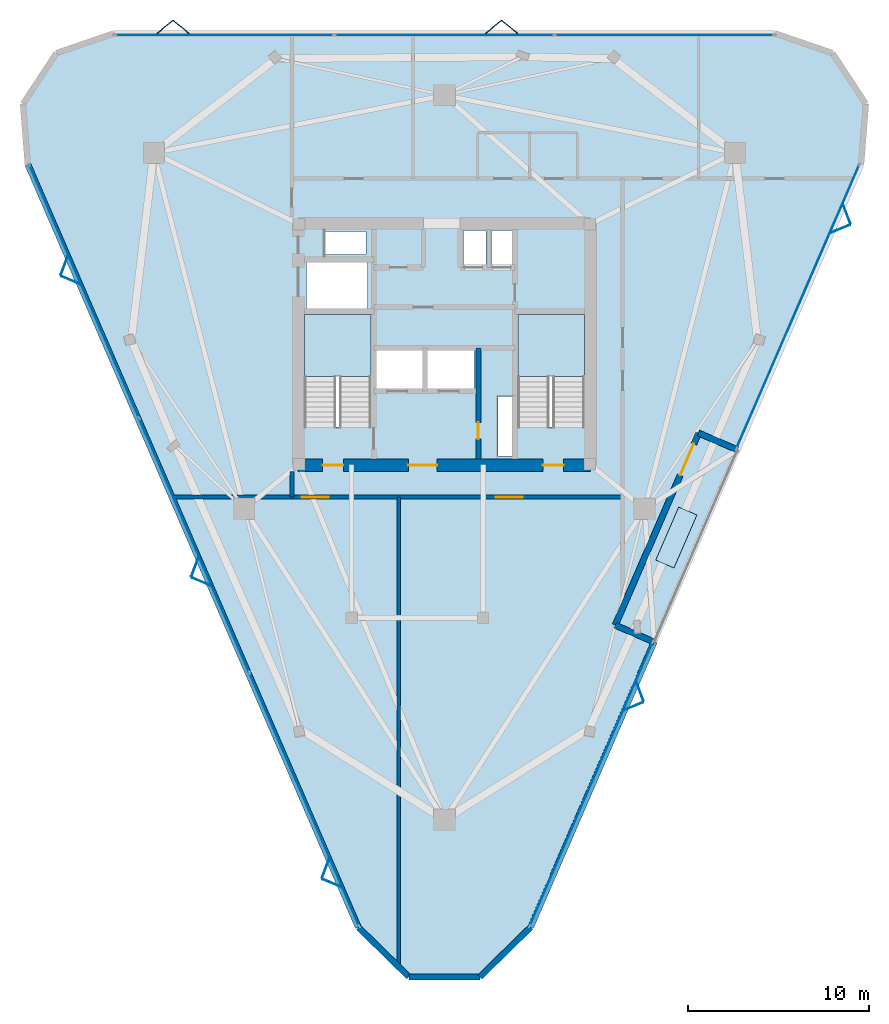
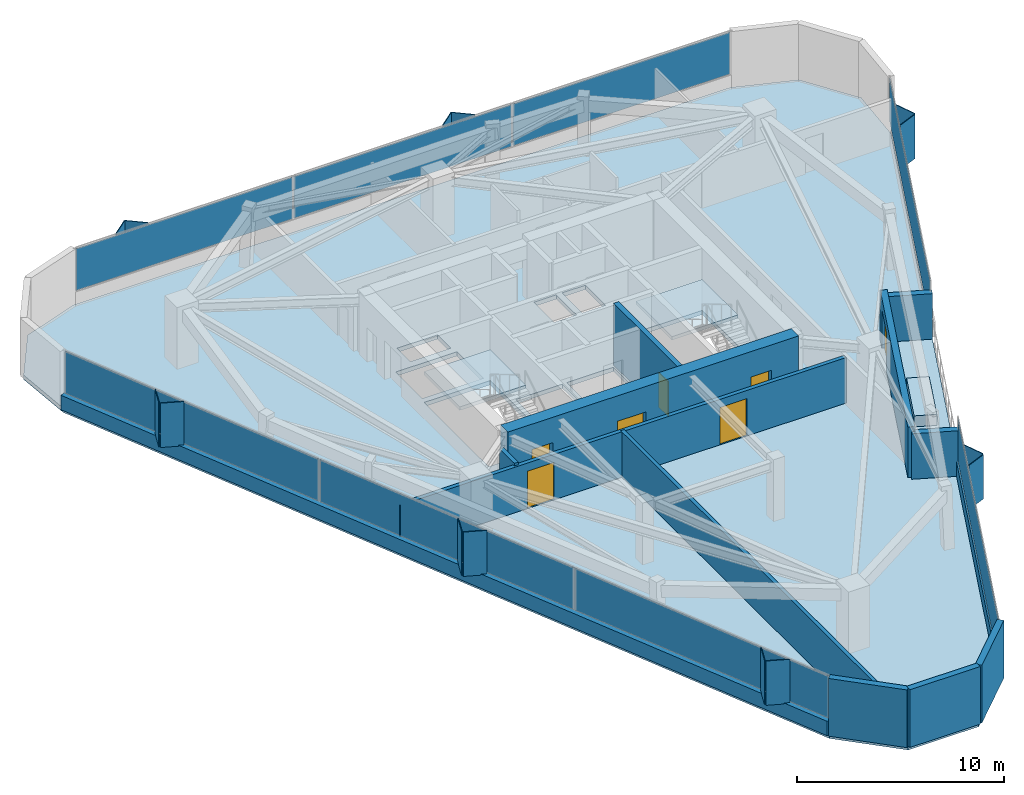
# One storey, part 7 of 10: 23 plates, 13 walls, 7 doors, 4 slabs, 7 openings, 6 elements without a shape of their own.
"""IFC4 building model written with IfcOpenShell, lengths in metres."""

from ifc_helpers import new_model, si_unit, direction, frame, frame_2d, origin, origin_2d, place, context, subcontext, project, spatial, polyline, rectangle, outline, extrude, material, layer, layer_set, type_object, element, fill, aggregate, save


model = new_model("IFC4")

# Units and contexts
model_context = context("Model", 3, precision=1e-05, world=origin(), true_north=direction((0.0, 1.0)))
body_context = subcontext(model_context, "Body", "Model", "MODEL_VIEW")
ifc_project = project(units=[si_unit("LENGTHUNIT", "METRE"), si_unit("AREAUNIT", "SQUARE_METRE"), si_unit("VOLUMEUNIT", "CUBIC_METRE"), si_unit("PLANEANGLEUNIT", "RADIAN"), si_unit("MASSUNIT", "GRAM", prefix="KILO")], contexts=[model_context])

# Site, building, storey
site_placement = place(None, origin())
site = spatial("IfcSite", under=ifc_project, at=site_placement, CompositionType="ELEMENT")
building_placement = place(site_placement, origin())
building = spatial("IfcBuilding", under=site, at=building_placement, Name="Talyreon Biosciences Tower", CompositionType="ELEMENT")
storey_placement = place(building_placement, frame((0.0, 0.0, 253.5)))
storey = spatial("IfcBuildingStorey", under=building, at=storey_placement, Name="L67", CompositionType="ELEMENT", Elevation=253.5)

# Curtain wall, plates
ifc_material_1 = material(Name="Thermally broken aluminium and low-E glazing", Category="aluminium")
ifc_layer_1 = layer(ifc_material_1, 0.205078125)
ifc_layer_set_1 = layer_set([ifc_layer_1], Name="Thermally broken aluminium and low-E glazing")
curtain_wall_type = type_object("IfcCurtainWallType", Name="CurtainWall_SkyGardenLoggia", PredefinedType="NOTDEFINED", material=ifc_layer_set_1)
curtain_wall_1_placement = place(storey_placement, origin())
curtain_wall_1 = element("IfcCurtainWall", 1, at=curtain_wall_1_placement, inside=storey, type_object=curtain_wall_type, Name="L67 Unitised Curtain Wall FCW-L67-03", PredefinedType="NOTDEFINED")
ifc_material_2 = material(Name="Acoustic laminated low-E insulated glazing", Category="glass")
ifc_layer_2 = layer(ifc_material_2, 0.0380859375)
ifc_layer_set_2 = layer_set([ifc_layer_2], Name="Acoustic laminated low-E insulated glazing")
plate_type_1 = type_object("IfcPlateType", Name="CWGlazingPanel_38", PredefinedType="CURTAIN_PANEL", material=ifc_layer_set_2)
plate_1_placement = place(storey_placement, frame((53.816162109375, 85.1376953125, 0.875), z_axis=(0.0, 0.0, 1.0), x_axis=(1.0, 0.0, 0.0)))
plate_1 = element("IfcPlate", 2, at=plate_1_placement, type_object=plate_type_1, Name="CW7 panel 1.1", PredefinedType="CURTAIN_PANEL", context=body_context, shape_type="SweptSolid", body=[
    extrude(rectangle(XDim=12.090087890625, YDim=0.0380859375, at=origin_2d()), origin(), (0.0, 0.0, 1.0), 2.4599609375),
])
plate_2_placement = place(storey_placement, frame((66.0, 85.1376953125, 0.875), z_axis=(0.0, 0.0, 1.0), x_axis=(1.0, 0.0, 0.0)))
plate_2 = element("IfcPlate", 3, at=plate_2_placement, type_object=plate_type_1, Name="CW7 panel 2.1", PredefinedType="CURTAIN_PANEL", context=body_context, shape_type="SweptSolid", body=[
    extrude(rectangle(XDim=12.12744140625, YDim=0.0380859375, at=origin_2d()), origin(), (0.0, 0.0, 1.0), 2.4599609375),
])
plate_3_placement = place(storey_placement, frame((78.183837890625, 85.1376953125, 0.875), z_axis=(0.0, 0.0, 1.0), x_axis=(1.0, 0.0, 0.0)))
plate_3 = element("IfcPlate", 4, at=plate_3_placement, type_object=plate_type_1, Name="CW7 panel 3.1", PredefinedType="CURTAIN_PANEL", context=body_context, shape_type="SweptSolid", body=[
    extrude(rectangle(XDim=12.090087890625, YDim=0.0380859375, at=origin_2d()), origin(), (0.0, 0.0, 1.0), 2.4599609375),
])
aggregate(curtain_wall_1, [plate_1, plate_2, plate_3])

# Curtain wall, plate
curtain_wall_2_placement = place(storey_placement, origin())
curtain_wall_2 = element("IfcCurtainWall", 5, at=curtain_wall_2_placement, inside=storey, type_object=curtain_wall_type, Name="L67 Unitised Curtain Wall FCW-L67-07", PredefinedType="NOTDEFINED")
plate_4_placement = place(storey_placement, frame((85.578857421875, 70.081298828125, 0.875), z_axis=(0.0, 0.0, 1.0), x_axis=(-0.397535898748, -0.917586622181, 0.0)))
plate_4 = element("IfcPlate", 6, at=plate_4_placement, type_object=plate_type_1, Name="CW7 panel 1.1", PredefinedType="CURTAIN_PANEL", context=body_context, shape_type="SweptSolid", body=[
    extrude(rectangle(XDim=17.071533203125, YDim=0.0380859375, at=origin_2d()), origin(), (0.0, 0.0, 1.0), 2.4599609375),
])
aggregate(curtain_wall_2, [plate_4])

curtain_wall_3_placement = place(storey_placement, origin())
curtain_wall_3 = element("IfcCurtainWall", 7, at=curtain_wall_3_placement, inside=storey, type_object=curtain_wall_type, Name="L67 Unitised Curtain Wall FCW-L67-11", PredefinedType="NOTDEFINED")
plate_5_placement = place(storey_placement, frame((74.12109375, 43.635009765625, 0.875), z_axis=(0.0, 0.0, 1.0), x_axis=(-0.397535898748, -0.917586622181, 0.0)))
plate_5 = element("IfcPlate", 8, at=plate_5_placement, type_object=plate_type_1, Name="CW7 panel 1.1", PredefinedType="CURTAIN_PANEL", context=body_context, shape_type="SweptSolid", body=[
    extrude(rectangle(XDim=17.071533203125, YDim=0.0380859375, at=origin_2d()), origin(), (0.0, 0.0, 1.0), 2.4599609375),
])
aggregate(curtain_wall_3, [plate_5])

# Curtain wall, plates
curtain_wall_4_placement = place(storey_placement, origin())
curtain_wall_4 = element("IfcCurtainWall", 9, at=curtain_wall_4_placement, inside=storey, type_object=curtain_wall_type, Name="L67 Unitised Curtain Wall FCW-L67-15", PredefinedType="NOTDEFINED")
plate_6_placement = place(storey_placement, frame((58.243896484375, 42.79248046875, 0.875), z_axis=(0.0, 0.0, 1.0), x_axis=(-0.397537465198, 0.91758594353, 0.0)))
plate_6 = element("IfcPlate", 10, at=plate_6_placement, type_object=plate_type_1, Name="CW7 panel 1.1", PredefinedType="CURTAIN_PANEL", context=body_context, shape_type="SweptSolid", body=[
    extrude(rectangle(XDim=15.2353515625, YDim=0.0380859375, at=origin_2d()), origin(), (0.0, 0.0, 1.0), 2.4599609375),
])
plate_7_placement = place(storey_placement, frame((52.150146484375, 56.858154296875, 0.875), z_axis=(0.0, 0.0, 1.0), x_axis=(-0.397537465198, 0.91758594353, 0.0)))
plate_7 = element("IfcPlate", 11, at=plate_7_placement, type_object=plate_type_1, Name="CW7 panel 2.1", PredefinedType="CURTAIN_PANEL", context=body_context, shape_type="SweptSolid", body=[
    extrude(rectangle(XDim=15.272705078125, YDim=0.0380859375, at=origin_2d()), origin(), (0.0, 0.0, 1.0), 2.4599609375),
])
plate_8_placement = place(storey_placement, frame((46.05615234375, 70.923828125, 0.875), z_axis=(0.0, 0.0, 1.0), x_axis=(-0.397537465198, 0.91758594353, 0.0)))
plate_8 = element("IfcPlate", 12, at=plate_8_placement, type_object=plate_type_1, Name="CW7 panel 3.1", PredefinedType="CURTAIN_PANEL", context=body_context, shape_type="SweptSolid", body=[
    extrude(rectangle(XDim=15.2353515625, YDim=0.0380859375, at=origin_2d()), origin(), (0.0, 0.0, 1.0), 2.4599609375),
])
aggregate(curtain_wall_4, [plate_6, plate_7, plate_8])

# Slab
ifc_material_3 = material(Name="Concrete C40/50", Category="concrete")
ifc_layer_3 = layer(ifc_material_3, 0.25)
ifc_layer_set_3 = layer_set([ifc_layer_3], Name="Concrete C40/50")
slab_type_1 = type_object("IfcSlabType", Name="DryLabFloorSlab_250", PredefinedType="FLOOR", material=ifc_layer_set_3)
slab_1_placement = place(storey_placement, frame((0.0, 0.0, -0.25)))
element("IfcSlab", 13, at=slab_1_placement, inside=storey, type_object=slab_type_1, Name="L67 Structural Floor Slab", PredefinedType="FLOOR", context=body_context, shape_type="SweptSolid", body=[
    extrude(outline(polyline([(42.9248046875, 77.95068359375), (42.6591796875, 81.3095703125), (44.508544921875, 84.126220703125), (47.6962890625, 85.2177734375), (84.3037109375, 85.2177734375), (87.491455078125, 84.126220703125), (89.3408203125, 81.3095703125), (89.0751953125, 77.95068359375), (82.22900390625, 62.148193359375), (80.07275390625, 63.08251953125), (75.46142578125, 52.4384765625), (77.61767578125, 51.50439453125), (70.771484375, 35.701904296875), (67.964111328125, 32.954345703125), (64.035888671875, 32.954345703125), (61.228515625, 35.701904296875), (42.9248046875, 77.95068359375)]), holes=[polyline([(69.820068359375, 65.10009765625), (69.820068359375, 61.800048828125), (68.9599609375, 61.800048828125), (68.9599609375, 65.10009765625), (69.820068359375, 65.10009765625)]), polyline([(61.929931640625, 69.64990234375), (61.929931640625, 63.407958984375), (58.25, 63.407958984375), (58.25, 69.64990234375), (61.929931640625, 69.64990234375)]), polyline([(73.75, 69.64990234375), (73.75, 63.407958984375), (70.070068359375, 63.407958984375), (70.070068359375, 69.64990234375), (73.75, 69.64990234375)]), polyline([(64.800048828125, 67.64990234375), (64.800048828125, 65.550048828125), (62.199951171875, 65.550048828125), (62.199951171875, 67.64990234375), (64.800048828125, 67.64990234375)]), polyline([(67.64990234375, 67.64990234375), (67.64990234375, 65.550048828125), (65.050048828125, 65.550048828125), (65.050048828125, 67.64990234375), (67.64990234375, 67.64990234375)]), polyline([(61.75, 72.550048828125), (61.75, 69.97998046875), (58.35009765625, 69.97998046875), (58.35009765625, 72.550048828125), (61.75, 72.550048828125)]), polyline([(68.300048828125, 74.300048828125), (68.300048828125, 72.35009765625), (67.050048828125, 72.35009765625), (67.050048828125, 74.300048828125), (68.300048828125, 74.300048828125)]), polyline([(69.919921875, 72.35009765625), (68.6201171875, 72.35009765625), (68.6201171875, 74.300048828125), (69.919921875, 74.300048828125), (69.919921875, 72.35009765625)]), polyline([(61.64990234375, 72.9599609375), (59.39990234375, 72.9599609375), (59.39990234375, 74.25), (61.64990234375, 74.25), (61.64990234375, 72.9599609375)])]), origin(), (0.0, 0.0, 1.0), 0.25),
])

# Plates
ifc_material_4 = material(Name="Ivory GFRC sunshade panel", Category="concrete")
ifc_layer_4 = layer(ifc_material_4, 0.044921875)
ifc_layer_set_4 = layer_set([ifc_layer_4], Name="Ivory GFRC sunshade panel")
plate_type_2 = type_object("IfcPlateType", Name="FoldedVSunshade_NorthFace_SUNSHADE", PredefinedType="USERDEFINED", material=ifc_layer_set_4)
for number, where, z_axis, x_axis, name in (
    (14, (50.51611328125, 85.577880859375, 0.7900390625), (0.0, 0.0, 1.0), (0.771624583388, 0.636078220278, 0.0), "L67 Folded V-Sunshade Panel 03.01L"),
    (15, (51.416259765625, 85.577880859375, 0.7900390625), (0.0, 0.0, 1.0), (0.771624583388, -0.636078220278, 0.0), "L67 Folded V-Sunshade Panel 03.01R"),
    (16, (68.71630859375, 85.577880859375, 0.7900390625), (0.0, 0.0, 1.0), (0.771624583388, 0.636078220278, 0.0), "L67 Folded V-Sunshade Panel 03.02L"),
    (17, (69.6162109375, 85.577880859375, 0.7900390625), (0.0, 0.0, 1.0), (0.771624583388, -0.636078220278, 0.0), "L67 Folded V-Sunshade Panel 03.02R"),
):
    element("IfcPlate", number, at=place(storey_placement, frame(where, z_axis=z_axis, x_axis=x_axis)), inside=storey, type_object=plate_type_2, Name=name, ObjectType="SUNSHADE", PredefinedType="USERDEFINED", context=body_context, shape_type="SweptSolid", body=[
        extrude(rectangle(XDim=1.14990234375, YDim=0.044921875, at=origin_2d()), origin(), (0.0, 0.0, 1.0), 2.610107421875),
    ])
ifc_layer_5 = layer(ifc_material_4, 0.044921875)
ifc_layer_set_5 = layer_set([ifc_layer_5], Name="Ivory GFRC sunshade panel")
plate_type_3 = type_object("IfcPlateType", Name="FoldedVSunshade_SunFace_SUNSHADE", PredefinedType="USERDEFINED", material=ifc_layer_set_5)
for number, where, z_axis, x_axis, name in (
    (18, (88.28466796875, 75.219970703125, 0.7900390625), (0.0, 0.0, 1.0), (0.351449521848, -0.936206832699, 0.0), "L67 Folded V-Sunshade Panel 07.01L"),
    (19, (87.9267578125, 74.39404296875, 0.7900390625), (0.0, 0.0, 1.0), (-0.923371109364, -0.383908575566, 0.0), "L67 Folded V-Sunshade Panel 07.01R"),
    (20, (76.826904296875, 48.773681640625, 0.7900390625), (0.0, 0.0, 1.0), (0.351449521848, -0.936206832699, 0.0), "L67 Folded V-Sunshade Panel 11.01L"),
    (21, (76.468994140625, 47.94775390625, 0.7900390625), (0.0, 0.0, 1.0), (-0.923371109364, -0.383908575566, 0.0), "L67 Folded V-Sunshade Panel 11.01R"),
    (22, (59.777099609375, 38.146484375, 0.7900390625), (0.0, 0.0, 1.0), (-0.923371109364, 0.383908575566, 0.0), "L67 Folded V-Sunshade Panel 15.01L"),
    (23, (59.41943359375, 38.972412109375, 0.7900390625), (0.0, 0.0, 1.0), (0.351449521848, 0.936206832699, 0.0), "L67 Folded V-Sunshade Panel 15.01R"),
    (24, (52.5419921875, 54.846435546875, 0.7900390625), (0.0, 0.0, 1.0), (-0.923371109364, 0.383908575566, 0.0), "L67 Folded V-Sunshade Panel 15.02L"),
    (25, (52.18408203125, 55.67236328125, 0.7900390625), (0.0, 0.0, 1.0), (0.351449521848, 0.936206832699, 0.0), "L67 Folded V-Sunshade Panel 15.02R"),
    (26, (45.306884765625, 71.546630859375, 0.7900390625), (0.0, 0.0, 1.0), (-0.923371109364, 0.383908575566, 0.0), "L67 Folded V-Sunshade Panel 15.03L"),
    (27, (44.94921875, 72.372314453125, 0.7900390625), (0.0, 0.0, 1.0), (0.351449521848, 0.936206832699, 0.0), "L67 Folded V-Sunshade Panel 15.03R"),
):
    element("IfcPlate", number, at=place(storey_placement, frame(where, z_axis=z_axis, x_axis=x_axis)), inside=storey, type_object=plate_type_3, Name=name, ObjectType="SUNSHADE", PredefinedType="USERDEFINED", context=body_context, shape_type="SweptSolid", body=[
        extrude(rectangle(XDim=1.14990234375, YDim=0.044921875, at=origin_2d()), origin(), (0.0, 0.0, 1.0), 2.610107421875),
    ])
ifc_material_5 = material(Name="Terracotta-faced precast planter Concrete C40/50", Category="masonry")
ifc_layer_6 = layer(ifc_material_5, 0.64990234375)
ifc_layer_set_6 = layer_set([ifc_layer_6], Name="Terracotta-faced precast planter Concrete C40/50")
plate_type_4 = type_object("IfcPlateType", Name="SkyGardenPlanter_PLANTER", PredefinedType="USERDEFINED", material=ifc_layer_set_6)
plate_9_placement = place(storey_placement, frame((78.84521484375, 57.29345703125, 0.0), z_axis=(0.0, 0.0, 1.0), x_axis=(0.39753228394, 0.917588188255, 0.0)))
element("IfcPlate", 28, at=plate_9_placement, inside=storey, type_object=plate_type_4, Name="L67 Sky-Garden Structural Planter", ObjectType="PLANTER", PredefinedType="USERDEFINED", context=body_context, shape_type="SweptSolid", body=[
    extrude(rectangle(XDim=3.199951171875, YDim=1.10009765625, at=origin_2d()), origin(), (0.0, 0.0, 1.0), 0.64990234375),
])

# Slab
ifc_layer_7 = layer(ifc_material_3, 0.330078125)
ifc_layer_set_7 = layer_set([ifc_layer_7], Name="Concrete C40/50")
slab_type_2 = type_object("IfcSlabType", Name="SkyGardenTerraceRoof_330", PredefinedType="ROOF", material=ifc_layer_set_7)
slab_2_placement = place(storey_placement, frame((0.0, 0.0, -0.330078125)))
element("IfcSlab", 29, at=slab_2_placement, inside=storey, type_object=slab_type_2, Name="L67 Planted Sky-Garden Terrace Slab", PredefinedType="ROOF", context=body_context, shape_type="SweptSolid", body=[
    extrude(outline(polyline([(77.61767578125, 51.50439453125), (75.46142578125, 52.4384765625), (80.07275390625, 63.08251953125), (82.22900390625, 62.148193359375), (77.61767578125, 51.50439453125)])), origin(), (0.0, 0.0, 1.0), 0.330078125),
])

# Stair, slab
stair_type = type_object("IfcStairType", Name="DoglegEscapeStair_3650", PredefinedType="HALF_TURN_STAIR", material=ifc_material_3)
stair_1_placement = place(storey_placement, origin())
stair_1 = element("IfcStair", 30, at=stair_1_placement, inside=storey, type_object=stair_type, Name="L67 Core Escape Stair 1", PredefinedType="HALF_TURN_STAIR")
ifc_layer_8 = layer(ifc_material_3, 0.199951171875)
ifc_layer_set_8 = layer_set([ifc_layer_8], Name="Concrete C40/50")
slab_type_3 = type_object("IfcSlabType", Name="StairLandingSlab_200", PredefinedType="LANDING", material=ifc_layer_set_8)
slab_3_placement = place(storey_placement, frame((0.0, 0.0, 1.625)))
slab_3 = element("IfcSlab", 31, at=slab_3_placement, type_object=slab_type_3, Name="ST-1 landing 1", PredefinedType="LANDING", context=body_context, shape_type="SweptSolid", body=[
    extrude(outline(polyline([(61.929931640625, 66.199951171875), (61.929931640625, 69.64990234375), (58.25, 69.64990234375), (58.25, 66.199951171875), (61.929931640625, 66.199951171875)])), origin(), (0.0, 0.0, 1.0), 0.199951171875),
])
aggregate(stair_1, [slab_3])

stair_2_placement = place(storey_placement, origin())
stair_2 = element("IfcStair", 32, at=stair_2_placement, inside=storey, type_object=stair_type, Name="L67 Core Escape Stair 2", PredefinedType="HALF_TURN_STAIR")
slab_4_placement = place(storey_placement, frame((0.0, 0.0, 1.625)))
slab_4 = element("IfcSlab", 33, at=slab_4_placement, type_object=slab_type_3, Name="ST-2 landing 1", PredefinedType="LANDING", context=body_context, shape_type="SweptSolid", body=[
    extrude(outline(polyline([(73.75, 66.199951171875), (73.75, 69.64990234375), (70.070068359375, 69.64990234375), (70.070068359375, 66.199951171875), (73.75, 66.199951171875)])), origin(), (0.0, 0.0, 1.0), 0.199951171875),
])
aggregate(stair_2, [slab_4])

# Wall
ifc_material_6 = material(Name="Gypsum fireboard acoustic stud", Category="gypsum")
ifc_layer_9 = layer(ifc_material_6, 0.199951171875)
ifc_layer_set_9 = layer_set([ifc_layer_9], Name="Gypsum fireboard acoustic stud")
wall_type_1 = type_object("IfcWallType", Name="ChemControlPartition_200", PredefinedType="PARTITIONING", material=ifc_layer_set_9)
wall_1_placement = place(storey_placement, frame((63.464111328125, 33.633056640625, 0.0), z_axis=(0.0, 0.0, 1.0), x_axis=(0.0, 1.0, 0.0)))
element("IfcWall", 34, at=wall_1_placement, inside=storey, type_object=wall_type_1, Name="L67 Interior Wall IW-L67-SDIV1", PredefinedType="PARTITIONING", context=body_context, shape_type="SweptSolid", body=[
    extrude(rectangle(XDim=25.89697265625, YDim=0.199951171875, at=frame_2d((12.948486328125, 0.0))), origin(), (0.0, 0.0, 1.0), 2.679931640625),
])

# Wall, opening, door
ifc_material_7 = material(Name="Concrete C50/60", Category="concrete")
ifc_layer_10 = layer(ifc_material_7, 0.280029296875)
ifc_layer_set_10 = layer_set([ifc_layer_10], Name="Concrete C50/60")
wall_type_2 = type_object("IfcWallType", Name="CoreShearWall_280", PredefinedType="SHEAR", material=ifc_layer_set_10)
wall_2_placement = place(storey_placement, frame((67.8798828125, 61.64990234375, 0.0), z_axis=(0.0, 0.0, 1.0), x_axis=(0.0, 1.0, 0.0)))
wall_2 = element("IfcWall", 35, at=wall_2_placement, inside=storey, type_object=wall_type_2, Name="L67 Core Shaft Wall SWFFE", PredefinedType="SHEAR", context=body_context, shape_type="SweptSolid", body=[
    extrude(rectangle(XDim=6.150146484375, YDim=0.280029296875, at=frame_2d((3.0751953125, 0.0))), origin(), (0.0, 0.0, 1.0), 3.64990234375),
])
opening_1_placement = place(wall_2_placement, frame((1.10009765625, 0.0, 0.0)))
opening_1 = element("IfcOpeningElement", 36, at=opening_1_placement, cuts=wall_2, Name="Opening DR-L67-RSE", PredefinedType="OPENING", context=body_context, shape_type="SweptSolid", body=[
    extrude(rectangle(XDim=0.919921875, YDim=2.050048828125, at=frame_2d((0.4599609375, 1.02490234375))), frame((0.0, 0.14990234375, 0.0), z_axis=(0.0, -1.0, 0.0), x_axis=(1.0, 0.0, 0.0)), (0.0, 0.0, 1.0), 0.300048828125),
])
ifc_material_8 = material(Name="Painted steel fire-rated riser door", Category="steel")
door_type_1 = type_object("IfcDoorType", Name="RiserPlantAccessDoor_920x2050", OperationType="NOTDEFINED", PredefinedType="DOOR", material=ifc_material_8)
door_1_placement = place(opening_1_placement, origin())
door_1 = element("IfcDoor", 37, at=door_1_placement, inside=storey, type_object=door_type_1, Name="L67 Core Door DR-L67-RSE", OperationType="SINGLE_SWING_RIGHT", OverallHeight=2.050048828125, OverallWidth=0.919921875, PredefinedType="DOOR", context=body_context, shape_type="SweptSolid", body=[
    extrude(rectangle(XDim=0.919921875, YDim=2.050048828125, at=frame_2d((0.4599609375, 1.02490234375))), frame((0.0, 0.02490234375, 0.0), z_axis=(0.0, -1.0, 0.0), x_axis=(1.0, 0.0, 0.0)), (0.0, 0.0, 1.0), 0.050048828125),
])
fill(opening_1, door_1)

# Wall, openings, doors
ifc_layer_11 = layer(ifc_material_7, 0.699951171875)
ifc_layer_set_11 = layer_set([ifc_layer_11], Name="Concrete C50/60")
wall_type_3 = type_object("IfcWallType", Name="CoreShearWall_700", PredefinedType="SHEAR", material=ifc_layer_set_11)
wall_3_placement = place(storey_placement, frame((57.89990234375, 61.300048828125, 0.0), z_axis=(0.0, 0.0, 1.0), x_axis=(1.0, 0.0, 0.0)))
wall_3 = element("IfcWall", 38, at=wall_3_placement, inside=storey, type_object=wall_type_3, Name="L67 Core Shear Wall S", PredefinedType="SHEAR", context=body_context, shape_type="SweptSolid", body=[
    extrude(rectangle(XDim=16.2001953125, YDim=0.699951171875, at=frame_2d((8.10009765625, 0.0))), origin(), (0.0, 0.0, 1.0), 3.64990234375),
])
opening_2_placement = place(wall_3_placement, frame((1.35009765625, 0.0, 0.0)))
opening_2 = element("IfcOpeningElement", 39, at=opening_2_placement, cuts=wall_3, Name="Opening DR-L67-ST1", PredefinedType="OPENING", context=body_context, shape_type="SweptSolid", body=[
    extrude(rectangle(XDim=1.14990234375, YDim=2.14990234375, at=frame_2d((0.574951171875, 1.074951171875))), frame((0.0, 0.35986328125, 0.0), z_axis=(0.0, -1.0, 0.0), x_axis=(1.0, 0.0, 0.0)), (0.0, 0.0, 1.0), 0.719970703125),
])
opening_3_placement = place(wall_3_placement, frame((6.10009765625, 0.0, 0.0)))
opening_3 = element("IfcOpeningElement", 40, at=opening_3_placement, cuts=wall_3, Name="Opening DR-L67-FFL", PredefinedType="OPENING", context=body_context, shape_type="SweptSolid", body=[
    extrude(rectangle(XDim=1.60009765625, YDim=2.14990234375, at=frame_2d((0.800048828125, 1.074951171875))), frame((0.0, 0.35986328125, 0.0), z_axis=(0.0, -1.0, 0.0), x_axis=(1.0, 0.0, 0.0)), (0.0, 0.0, 1.0), 0.719970703125),
])
opening_4_placement = place(wall_3_placement, frame((13.550048828125, 0.0, 0.0)))
opening_4 = element("IfcOpeningElement", 41, at=opening_4_placement, cuts=wall_3, Name="Opening DR-L67-ST2", PredefinedType="OPENING", context=body_context, shape_type="SweptSolid", body=[
    extrude(rectangle(XDim=1.14990234375, YDim=2.14990234375, at=frame_2d((0.574951171875, 1.074951171875))), frame((0.0, 0.35986328125, 0.0), z_axis=(0.0, -1.0, 0.0), x_axis=(1.0, 0.0, 0.0)), (0.0, 0.0, 1.0), 0.719970703125),
])
ifc_material_9 = material(Name="Painted steel smoke-seal fire door", Category="steel")
door_type_2 = type_object("IfcDoorType", Name="FirefightingLobbyDoubleDoor_1600x2150", OperationType="DOUBLE_DOOR_SINGLE_SWING", PredefinedType="DOOR", material=ifc_material_9)
door_2_placement = place(opening_3_placement, origin())
door_2 = element("IfcDoor", 42, at=door_2_placement, inside=storey, type_object=door_type_2, Name="L67 Core Door DR-L67-FFL", OperationType="DOUBLE_DOOR_SINGLE_SWING", OverallHeight=2.14990234375, OverallWidth=1.60009765625, PredefinedType="DOOR", context=body_context, shape_type="SweptSolid", body=[
    extrude(rectangle(XDim=1.60009765625, YDim=2.14990234375, at=frame_2d((0.800048828125, 1.074951171875))), frame((0.0, 0.02490234375, 0.0), z_axis=(0.0, -1.0, 0.0), x_axis=(1.0, 0.0, 0.0)), (0.0, 0.0, 1.0), 0.050048828125),
])
fill(opening_3, door_2)
ifc_material_10 = material(Name="Painted steel fire door", Category="steel")
door_type_3 = type_object("IfcDoorType", Name="StairShaftFireDoor_1150x2150", OperationType="NOTDEFINED", PredefinedType="DOOR", material=ifc_material_10)
door_3_placement = place(opening_2_placement, origin())
door_3 = element("IfcDoor", 43, at=door_3_placement, inside=storey, type_object=door_type_3, Name="L67 Core Door DR-L67-ST1", OperationType="SINGLE_SWING_LEFT", OverallHeight=2.14990234375, OverallWidth=1.14990234375, PredefinedType="DOOR", context=body_context, shape_type="SweptSolid", body=[
    extrude(rectangle(XDim=1.14990234375, YDim=2.14990234375, at=frame_2d((0.574951171875, 1.074951171875))), frame((0.0, 0.02490234375, 0.0), z_axis=(0.0, -1.0, 0.0), x_axis=(1.0, 0.0, 0.0)), (0.0, 0.0, 1.0), 0.050048828125),
])
fill(opening_2, door_3)
door_4_placement = place(opening_4_placement, origin())
door_4 = element("IfcDoor", 44, at=door_4_placement, inside=storey, type_object=door_type_3, Name="L67 Core Door DR-L67-ST2", OperationType="SINGLE_SWING_RIGHT", OverallHeight=2.14990234375, OverallWidth=1.14990234375, PredefinedType="DOOR", context=body_context, shape_type="SweptSolid", body=[
    extrude(rectangle(XDim=1.14990234375, YDim=2.14990234375, at=frame_2d((0.574951171875, 1.074951171875))), frame((0.0, 0.02490234375, 0.0), z_axis=(0.0, -1.0, 0.0), x_axis=(1.0, 0.0, 0.0)), (0.0, 0.0, 1.0), 0.050048828125),
])
fill(opening_4, door_4)

ifc_layer_12 = layer(ifc_material_6, 0.219970703125)
ifc_layer_set_12 = layer_set([ifc_layer_12], Name="Gypsum fireboard acoustic stud")
wall_type_4 = type_object("IfcWallType", Name="CorridorRatedPartition_220", PredefinedType="PARTITIONING", material=ifc_layer_set_12)
wall_4_placement = place(storey_placement, frame((50.997802734375, 59.530029296875, 0.0), z_axis=(0.0, 0.0, 1.0), x_axis=(1.0, 0.0, 0.0)))
wall_4 = element("IfcWall", 45, at=wall_4_placement, inside=storey, type_object=wall_type_4, Name="L67 Interior Wall IW-L67-COR-S", PredefinedType="PARTITIONING", context=body_context, shape_type="SweptSolid", body=[
    extrude(rectangle(XDim=24.872314453125, YDim=0.219970703125, at=frame_2d((12.43603515625, 0.0))), origin(), (0.0, 0.0, 1.0), 2.679931640625),
])
opening_5_placement = place(wall_4_placement, frame((7.09912109375, 0.0, 0.0)))
opening_5 = element("IfcOpeningElement", 46, at=opening_5_placement, cuts=wall_4, Name="Opening DR-L67-S1A", PredefinedType="OPENING", context=body_context, shape_type="SweptSolid", body=[
    extrude(rectangle(XDim=1.5, YDim=2.199951171875, at=frame_2d((0.75, 1.10009765625))), frame((0.0, 0.119873046875, 0.0), z_axis=(0.0, -1.0, 0.0), x_axis=(1.0, 0.0, 0.0)), (0.0, 0.0, 1.0), 0.239990234375),
])
opening_6_placement = place(wall_4_placement, frame((17.843994140625, 0.0, 0.0)))
opening_6 = element("IfcOpeningElement", 47, at=opening_6_placement, cuts=wall_4, Name="Opening DR-L67-S2A", PredefinedType="OPENING", context=body_context, shape_type="SweptSolid", body=[
    extrude(rectangle(XDim=1.5, YDim=2.199951171875, at=frame_2d((0.75, 1.10009765625))), frame((0.0, 0.119873046875, 0.0), z_axis=(0.0, -1.0, 0.0), x_axis=(1.0, 0.0, 0.0)), (0.0, 0.0, 1.0), 0.239990234375),
])
ifc_material_11 = material(Name="Vision-panel steel laboratory fire door", Category="steel")
door_type_4 = type_object("IfcDoorType", Name="WetLabDoubleLeafDoor_1500x2200", OperationType="DOUBLE_DOOR_SINGLE_SWING", PredefinedType="DOOR", material=ifc_material_11)
door_5_placement = place(opening_5_placement, origin())
door_5 = element("IfcDoor", 48, at=door_5_placement, inside=storey, type_object=door_type_4, Name="L67 Interior Door DR-L67-S1A", OperationType="DOUBLE_DOOR_SINGLE_SWING", OverallHeight=2.199951171875, OverallWidth=1.5, PredefinedType="DOOR", context=body_context, shape_type="SweptSolid", body=[
    extrude(rectangle(XDim=1.5, YDim=2.199951171875, at=frame_2d((0.75, 1.10009765625))), frame((0.0, 0.02490234375, 0.0), z_axis=(0.0, -1.0, 0.0), x_axis=(1.0, 0.0, 0.0)), (0.0, 0.0, 1.0), 0.050048828125),
])
fill(opening_5, door_5)
door_6_placement = place(opening_6_placement, origin())
door_6 = element("IfcDoor", 49, at=door_6_placement, inside=storey, type_object=door_type_4, Name="L67 Interior Door DR-L67-S2A", OperationType="DOUBLE_DOOR_SINGLE_SWING", OverallHeight=2.199951171875, OverallWidth=1.5, PredefinedType="DOOR", context=body_context, shape_type="SweptSolid", body=[
    extrude(rectangle(XDim=1.5, YDim=2.199951171875, at=frame_2d((0.75, 1.10009765625))), frame((0.0, 0.02490234375, 0.0), z_axis=(0.0, -1.0, 0.0), x_axis=(1.0, 0.0, 0.0)), (0.0, 0.0, 1.0), 0.050048828125),
])
fill(opening_6, door_6)

# Walls
wall_5_placement = place(storey_placement, frame((57.550048828125, 59.530029296875, 0.0), z_axis=(0.0, 0.0, 1.0), x_axis=(0.0, 1.0, 0.0)))
element("IfcWall", 50, at=wall_5_placement, inside=storey, type_object=wall_type_4, Name="L67 Interior Wall IW-L67-WCAP-S", PredefinedType="PARTITIONING", context=body_context, shape_type="SweptSolid", body=[
    extrude(rectangle(XDim=1.419921875, YDim=0.219970703125, at=frame_2d((0.7099609375, 0.0))), origin(), (0.0, 0.0, 1.0), 2.830078125),
])
ifc_material_12 = material(Name="Precast concrete C45/55", Category="concrete")
ifc_layer_13 = layer(ifc_material_12, 0.340087890625)
ifc_layer_set_13 = layer_set([ifc_layer_13], Name="Precast concrete C45/55")
wall_type_5 = type_object("IfcWallType", Name="PrecastConcreteSpandrelWall_340", PredefinedType="STANDARD", material=ifc_layer_set_13)
wall_6_placement = place(storey_placement, frame((82.22900390625, 62.148193359375, 0.0), z_axis=(0.0, 0.0, 1.0), x_axis=(-0.917563205573, 0.397589944263, 0.0)))
element("IfcWall", 51, at=wall_6_placement, inside=storey, type_object=wall_type_5, Name="L67 Terrace Backing Concrete Wall 08", PredefinedType="STANDARD", context=body_context, shape_type="SweptSolid", body=[
    extrude(rectangle(XDim=2.349853515625, YDim=0.340087890625, at=frame_2d((1.1748046875, 0.0))), origin(), (0.0, 0.0, 1.0), 2.679931640625),
])

# Wall, opening, door
wall_7_placement = place(storey_placement, frame((80.07275390625, 63.08251953125, 0.0), z_axis=(0.0, 0.0, 1.0), x_axis=(-0.397528289892, -0.91758991861, 0.0)))
wall_7 = element("IfcWall", 52, at=wall_7_placement, inside=storey, type_object=wall_type_5, Name="L67 Terrace Backing Concrete Wall 09", PredefinedType="STANDARD", context=body_context, shape_type="SweptSolid", body=[
    extrude(rectangle(XDim=11.60009765625, YDim=0.340087890625, at=frame_2d((5.800048828125, 0.0))), origin(), (0.0, 0.0, 1.0), 2.97998046875),
])
opening_7_placement = place(wall_7_placement, frame((0.64990234375, 0.0, 0.0)))
opening_7 = element("IfcOpeningElement", 53, at=opening_7_placement, cuts=wall_7, Name="Opening D04", PredefinedType="OPENING", context=body_context, shape_type="SweptSolid", body=[
    extrude(rectangle(XDim=1.89990234375, YDim=2.300048828125, at=frame_2d((0.949951171875, 1.14990234375))), frame((0.0, 0.179931640625, 0.0), z_axis=(0.0, -1.0, 0.0), x_axis=(1.0, 0.0, 0.0)), (0.0, 0.0, 1.0), 0.360107421875),
])
ifc_material_13 = material(Name="Thermally broken low-E glazed terrace door", Category="aluminium")
door_type_5 = type_object("IfcDoorType", Name="SkyGardenTerraceDoubleDoor_1900x2300", OperationType="DOUBLE_DOOR_SINGLE_SWING", PredefinedType="DOOR", material=ifc_material_13)
door_7_placement = place(opening_7_placement, origin())
door_7 = element("IfcDoor", 54, at=door_7_placement, inside=storey, type_object=door_type_5, Name="L67 Outdoor Terrace Access Door 09", OperationType="DOUBLE_DOOR_SINGLE_SWING", OverallHeight=2.300048828125, OverallWidth=1.89990234375, PredefinedType="DOOR", context=body_context, shape_type="SweptSolid", body=[
    extrude(rectangle(XDim=1.89990234375, YDim=2.300048828125, at=frame_2d((0.949951171875, 1.14990234375))), frame((0.0, 0.02490234375, 0.0), z_axis=(0.0, -1.0, 0.0), x_axis=(1.0, 0.0, 0.0)), (0.0, 0.0, 1.0), 0.050048828125),
])
fill(opening_7, door_7)

# Walls
wall_8_placement = place(storey_placement, frame((75.46142578125, 52.4384765625, 0.0), z_axis=(0.0, 0.0, 1.0), x_axis=(0.917601103763, -0.397502470901, 0.0)))
element("IfcWall", 55, at=wall_8_placement, inside=storey, type_object=wall_type_5, Name="L67 Terrace Backing Concrete Wall 10", PredefinedType="STANDARD", context=body_context, shape_type="SweptSolid", body=[
    extrude(rectangle(XDim=2.349853515625, YDim=0.340087890625, at=frame_2d((1.1748046875, 0.0))), origin(), (0.0, 0.0, 1.0), 2.679931640625),
])
wall_9_placement = place(storey_placement, frame((77.61767578125, 51.50439453125, 0.0), z_axis=(0.0, 0.0, 1.0), x_axis=(-0.397531449249, -0.917588549873, 0.0)))
element("IfcWall", 56, at=wall_9_placement, inside=storey, type_object=wall_type_5, Name="L67 Expressed Concrete Sill Wall 11", PredefinedType="STANDARD", context=body_context, shape_type="SweptSolid", body=[
    extrude(rectangle(XDim=17.2216796875, YDim=0.340087890625, at=frame_2d((8.61083984375, 0.0))), origin(), (0.0, 0.0, 1.0), 0.85009765625),
])
for number, where, z_axis, x_axis, name in (
    (57, (70.771484375, 35.701904296875, 0.0), (0.0, 0.0, 1.0), (-0.714679342433, -0.699452241042, 0.0), "L67 Rounded-Corner Concrete Pier 12"),
    (58, (67.964111328125, 32.954345703125, 0.0), (0.0, 0.0, 1.0), (-1.0, 0.0, 0.0), "L67 Rounded-Corner Concrete Pier 13"),
    (59, (64.035888671875, 32.954345703125, 0.0), (0.0, 0.0, 1.0), (-0.714679342433, 0.699452241042, 0.0), "L67 Rounded-Corner Concrete Pier 14"),
):
    element("IfcWall", number, at=place(storey_placement, frame(where, z_axis=z_axis, x_axis=x_axis)), inside=storey, type_object=wall_type_5, Name=name, PredefinedType="STANDARD", context=body_context, shape_type="SweptSolid", body=[
        extrude(rectangle(XDim=3.92822265625, YDim=0.340087890625, at=frame_2d((1.964111328125, 0.0))), origin(), (0.0, 0.0, 1.0), 3.39990234375),
    ])
wall_10_placement = place(storey_placement, frame((61.228515625, 35.701904296875, 0.0), z_axis=(0.0, 0.0, 1.0), x_axis=(-0.397532587454, 0.917588056762, 0.0)))
element("IfcWall", 60, at=wall_10_placement, inside=storey, type_object=wall_type_5, Name="L67 Expressed Concrete Sill Wall 15", PredefinedType="STANDARD", context=body_context, shape_type="SweptSolid", body=[
    extrude(rectangle(XDim=46.043212890625, YDim=0.340087890625, at=frame_2d((23.021484375, 0.0))), origin(), (0.0, 0.0, 1.0), 0.85009765625),
])

save(model, "model.ifc")
